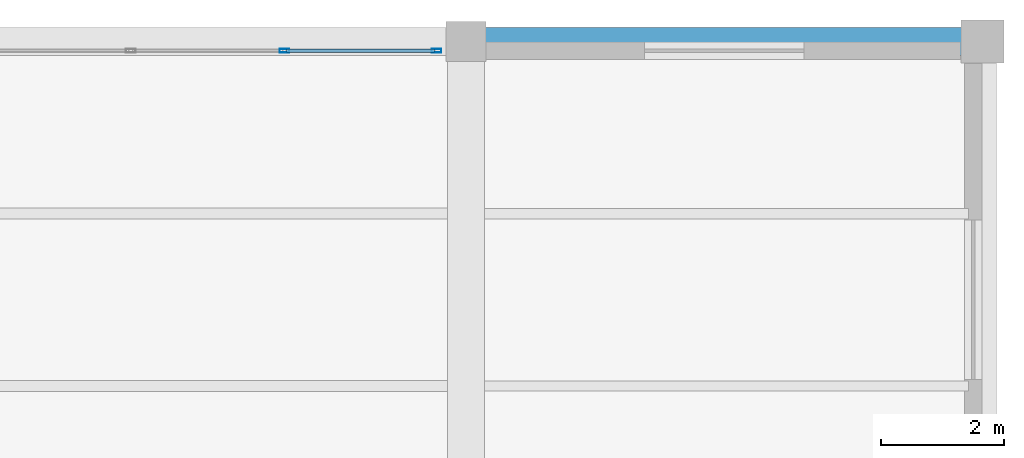
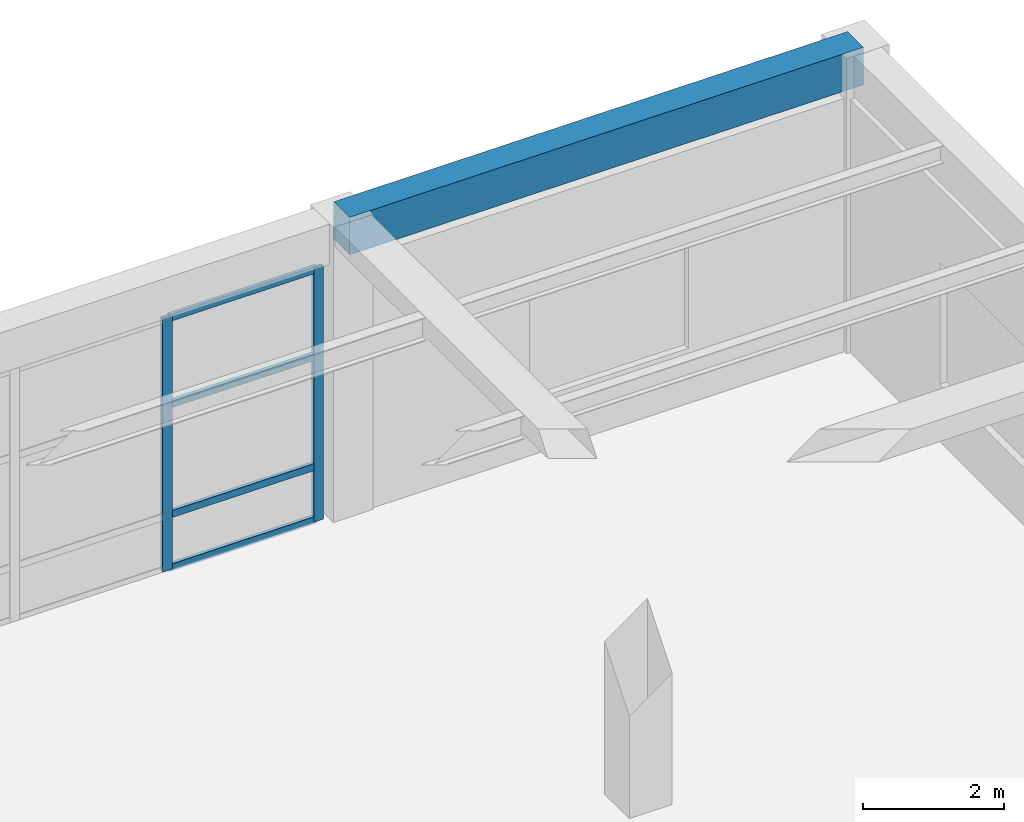
# One storey, part 67 of 96: 6 members, 1 beam, 1 element without a shape of its own.
"""IFC4 building model written with IfcOpenShell, lengths in metres."""

from ifc_helpers import new_model, si_unit, direction, frame, origin, origin_2d, place, context, subcontext, project, spatial, rectangle, hollow_rectangle, extrude, material, material_profile, profile_set, type_object, element, aggregate, save


model = new_model("IFC4")

# Units and contexts
model_context = context("Model", 3, precision=1e-05, world=origin(), true_north=direction((0.0, 1.0)))
body_context = subcontext(model_context, "Body", "Model", "MODEL_VIEW")
ifc_project = project(units=[si_unit("LENGTHUNIT", "METRE"), si_unit("AREAUNIT", "SQUARE_METRE"), si_unit("VOLUMEUNIT", "CUBIC_METRE"), si_unit("PLANEANGLEUNIT", "RADIAN"), si_unit("MASSUNIT", "GRAM", prefix="KILO")], contexts=[model_context])

# Site, building, storey
site_placement = place(None, origin())
site = spatial("IfcSite", under=ifc_project, at=site_placement, CompositionType="ELEMENT")
building_placement = place(site_placement, origin())
building = spatial("IfcBuilding", under=site, at=building_placement, Name="Almacenes y Pasaje Nevantli", CompositionType="ELEMENT")
storey_placement = place(building_placement, frame((0.0, 0.0, 6.0)))
storey = spatial("IfcBuildingStorey", under=building, at=storey_placement, Name="L02", CompositionType="ELEMENT", Elevation=6.0)

# Beam
ifc_material_1 = material(Name="Concrete C35/45", Category="concrete")
ifc_material_profile_1 = material_profile(ifc_material_1, rectangle(XDim=0.449951171875, YDim=0.64990234375, at=origin_2d()), Name="RC-BM-450x650")
ifc_profile_set_1 = profile_set([ifc_material_profile_1], Name="Concrete C35/45")
beam_type = type_object("IfcBeamType", Name="BM-RC-450x650", PredefinedType="SPANDREL", material=ifc_profile_set_1)
beam_placement = place(storey_placement, frame((159.60009765625, 117.60009765625, 4.77490234375), z_axis=(1.0, 0.0, 0.0), x_axis=(0.0, 1.0, 0.0)))
element("IfcBeam", 1, at=beam_placement, inside=storey, type_object=beam_type, Name="L02 East-West Reinforced Concrete Beam #1965", PredefinedType="SPANDREL", context=body_context, shape_type="SweptSolid", body=[
    extrude(rectangle(XDim=0.449951171875, YDim=0.64990234375, at=origin_2d()), origin(), (0.0, 0.0, 1.0), 8.39990234375),
])

# Curtain wall, members
ifc_material_2 = material(Name="Thermally Broken Aluminium and Low-E Glass", Category="aluminium")
curtain_wall_type = type_object("IfcCurtainWallType", Name="CW-STF-BLVD", PredefinedType="USERDEFINED", material=ifc_material_2)
curtain_wall_placement = place(storey_placement, origin())
curtain_wall = element("IfcCurtainWall", 2, at=curtain_wall_placement, inside=storey, type_object=curtain_wall_type, Name="L02 North Boulevard Retail Curtain Wall Bay 19", ObjectType="STOREFRONT GLAZING", PredefinedType="USERDEFINED")
ifc_material_3 = material(Name="Thermally Broken Anodized Aluminium", Category="aluminium")
ifc_material_profile_2 = material_profile(ifc_material_3, hollow_rectangle(XDim=0.06005859375, YDim=0.159912109375, WallThickness=0.00390625, at=origin_2d()), Name="ALU-MUL-60x160")
ifc_profile_set_2 = profile_set([ifc_material_profile_2], Name="Thermally Broken Anodized Aluminium")
member_type_1 = type_object("IfcMemberType", Name="CW-MUL-180", PredefinedType="MULLION", material=ifc_profile_set_2)
member_1_placement = place(storey_placement, frame((156.64990234375, 117.449951171875, 0.0), z_axis=(0.0, 0.0, 1.0), x_axis=(0.0, 1.0, 0.0)))
member_1 = element("IfcMember", 3, at=member_1_placement, type_object=member_type_1, Name="CW-L02-011 mullion 3", PredefinedType="MULLION", context=body_context, shape_type="SweptSolid", body=[
    extrude(hollow_rectangle(XDim=0.06005859375, YDim=0.159912109375, WallThickness=0.00390625, at=origin_2d()), origin(), (0.0, 0.0, 1.0), 4.3798828125),
])
member_2_placement = place(storey_placement, frame((159.1201171875, 117.449951171875, 0.0), z_axis=(0.0, 0.0, 1.0), x_axis=(0.0, 1.0, 0.0)))
member_2 = element("IfcMember", 4, at=member_2_placement, type_object=member_type_1, Name="CW-L02-011 mullion 4", PredefinedType="MULLION", context=body_context, shape_type="SweptSolid", body=[
    extrude(hollow_rectangle(XDim=0.06005859375, YDim=0.159912109375, WallThickness=0.00390625, at=origin_2d()), origin(), (0.0, 0.0, 1.0), 4.3798828125),
])
ifc_material_4 = material(Name="Thermally Broken Anodized Aluminium", Category="aluminium")
ifc_material_profile_3 = material_profile(ifc_material_4, hollow_rectangle(XDim=0.06005859375, YDim=0.1201171875, WallThickness=0.00341796875, at=origin_2d()), Name="ALU-TRN-60x120")
ifc_profile_set_3 = profile_set([ifc_material_profile_3], Name="Thermally Broken Anodized Aluminium")
member_type_2 = type_object("IfcMemberType", Name="CW-TRN-130", PredefinedType="USERDEFINED", material=ifc_profile_set_3)
member_3_placement = place(storey_placement, frame((156.679931640625, 117.449951171875, 0.030029296875), z_axis=(1.0, 0.0, 0.0), x_axis=(0.0, 1.0, 0.0)))
member_3 = element("IfcMember", 5, at=member_3_placement, type_object=member_type_2, Name="CW-L02-011 transom 3.1", ObjectType="TRANSOM", PredefinedType="USERDEFINED", context=body_context, shape_type="SweptSolid", body=[
    extrude(hollow_rectangle(XDim=0.06005859375, YDim=0.1201171875, WallThickness=0.00341796875, at=origin_2d()), origin(), (0.0, 0.0, 1.0), 2.41015625),
])
member_4_placement = place(storey_placement, frame((156.679931640625, 117.449951171875, 0.949951171875), z_axis=(1.0, 0.0, 0.0), x_axis=(0.0, 1.0, 0.0)))
member_4 = element("IfcMember", 6, at=member_4_placement, type_object=member_type_2, Name="CW-L02-011 transom 3.2", ObjectType="TRANSOM", PredefinedType="USERDEFINED", context=body_context, shape_type="SweptSolid", body=[
    extrude(hollow_rectangle(XDim=0.06005859375, YDim=0.1201171875, WallThickness=0.00341796875, at=origin_2d()), origin(), (0.0, 0.0, 1.0), 2.41015625),
])
member_5_placement = place(storey_placement, frame((156.679931640625, 117.449951171875, 2.85009765625), z_axis=(1.0, 0.0, 0.0), x_axis=(0.0, 1.0, 0.0)))
member_5 = element("IfcMember", 7, at=member_5_placement, type_object=member_type_2, Name="CW-L02-011 transom 3.3", ObjectType="TRANSOM", PredefinedType="USERDEFINED", context=body_context, shape_type="SweptSolid", body=[
    extrude(hollow_rectangle(XDim=0.06005859375, YDim=0.1201171875, WallThickness=0.00341796875, at=origin_2d()), origin(), (0.0, 0.0, 1.0), 2.41015625),
])
member_6_placement = place(storey_placement, frame((156.679931640625, 117.449951171875, 4.35009765625), z_axis=(1.0, 0.0, 0.0), x_axis=(0.0, 1.0, 0.0)))
member_6 = element("IfcMember", 8, at=member_6_placement, type_object=member_type_2, Name="CW-L02-011 transom 3.4", ObjectType="TRANSOM", PredefinedType="USERDEFINED", context=body_context, shape_type="SweptSolid", body=[
    extrude(hollow_rectangle(XDim=0.06005859375, YDim=0.1201171875, WallThickness=0.00341796875, at=origin_2d()), origin(), (0.0, 0.0, 1.0), 2.41015625),
])
aggregate(curtain_wall, [member_1, member_2, member_3, member_4, member_5, member_6])

save(model, "model.ifc")
